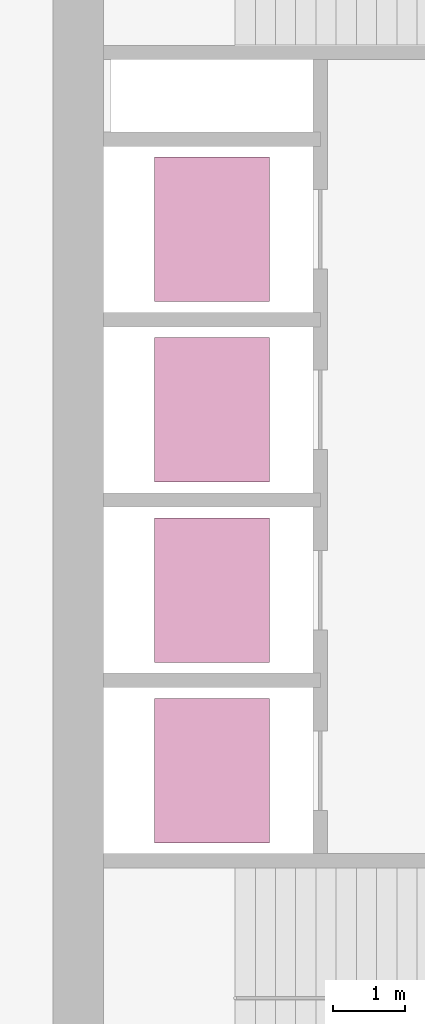
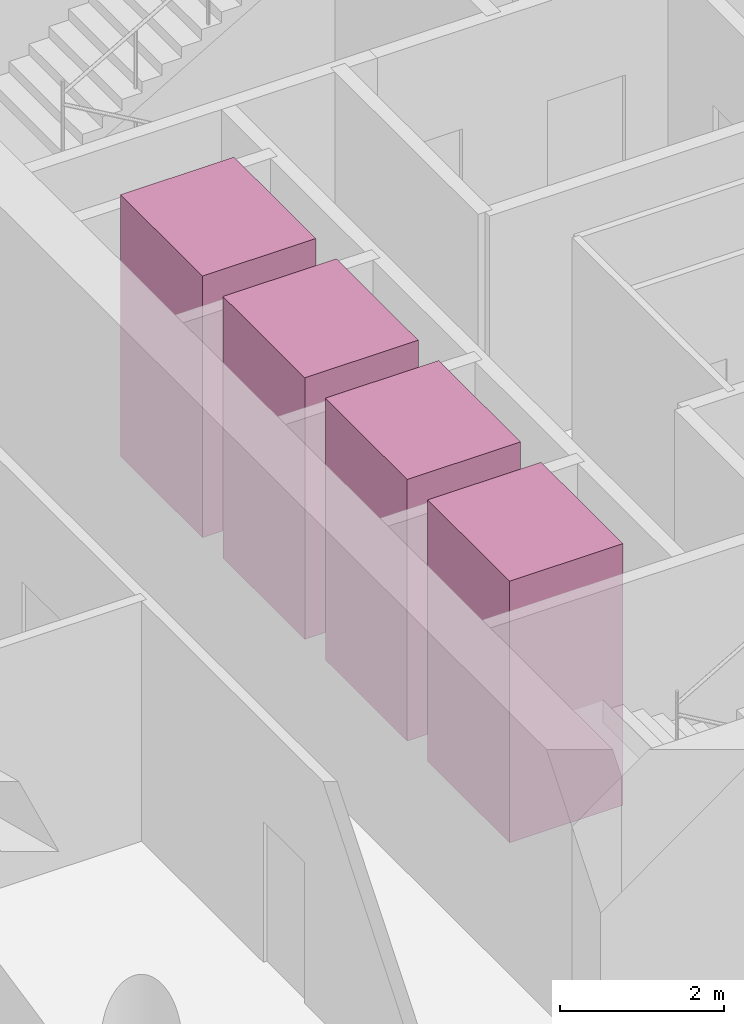
# One storey, part 9 of 9: 4 transport elements.
"""IFC4 building model written with IfcOpenShell, lengths in metres."""

import ifcopenshell
import ifcopenshell.guid

model = None  # the IFC model being written
_history = None  # IfcOwnerHistory: only IFC2X3 demands one
_inside = {}  # id of a spatial element -> (the spatial element, [elements in it])
_under = {}  # id of a project, library or spatial element -> (it, [spatial elements below it])
_declared = {}  # id of a project -> (the project, [libraries it declares])
_typed = {}  # id of a type object -> (the type object, [elements of that type])
_made_of = {}  # id of a material, layer set ... -> (it, [elements and type objects made of it])


def new_model(schema):
    """Start an empty IFC model of exactly this schema.

    Asked for "IFC4X3", IfcOpenShell would pick the latest addendum, in which some entities
    have other attributes; the version numbers below select the first issue.
    IFC2X3 requires an IfcOwnerHistory on every rooted entity: one is made here for all.
    """
    global model, _history
    if schema == "IFC4X3":
        model = ifcopenshell.file(schema_version=(4, 3, 0, 0))
    else:
        model = ifcopenshell.file(schema=schema)
    _inside.clear()
    _under.clear()
    _declared.clear()
    _typed.clear()
    _made_of.clear()
    _history = None
    if model.schema == "IFC2X3":
        org = make("IfcOrganization", Name="unknown")
        user = make(
            "IfcPersonAndOrganization",
            ThePerson=make("IfcPerson", FamilyName="unknown"),
            TheOrganization=org,
        )
        app = make(
            "IfcApplication",
            ApplicationDeveloper=org,
            Version="unknown",
            ApplicationFullName="unknown",
            ApplicationIdentifier="unknown",
        )
        _history = make(
            "IfcOwnerHistory",
            OwningUser=user,
            OwningApplication=app,
            ChangeAction="ADDED",
            CreationDate=0,
        )
    return model


def make(cls, **values):
    """One entity of the class cls with the attributes given. An attribute that is None is left unset."""
    return model.create_entity(
        cls, **{name: value for name, value in values.items() if value is not None}
    )


def rooted(cls, **values):
    """An entity with a GlobalId (a new one), such as an element, a storey or a relation."""
    return make(cls, GlobalId=ifcopenshell.guid.new(), OwnerHistory=_history, **values)


def si_unit(unit_type, name, prefix=None):
    """IfcSIUnit, for example si_unit("LENGTHUNIT", "METRE", prefix="MILLI")."""
    return make("IfcSIUnit", UnitType=unit_type, Prefix=prefix, Name=name)


def assignment(units):
    """IfcUnitAssignment: the units of a project."""
    return None if units is None else make("IfcUnitAssignment", Units=units)


def point(xyz):
    """IfcCartesianPoint."""
    return None if xyz is None else make("IfcCartesianPoint", Coordinates=xyz)


def direction(xyz):
    """IfcDirection."""
    return None if xyz is None else make("IfcDirection", DirectionRatios=xyz)


def frame(location, z_axis=None, x_axis=None):
    """IfcAxis2Placement3D, a coordinate frame: its origin and axes. An axis left out is left unset."""
    return make(
        "IfcAxis2Placement3D",
        Location=point(location),
        Axis=direction(z_axis),
        RefDirection=direction(x_axis),
    )


def frame_2d(location, x_axis=None):
    """IfcAxis2Placement2D, a coordinate frame in the plane: its origin and x axis."""
    return make(
        "IfcAxis2Placement2D", Location=point(location), RefDirection=direction(x_axis)
    )


def origin():
    """The frame at (0, 0, 0) with its axes left unset."""
    return frame((0.0, 0.0, 0.0))


def origin_2d():
    """The frame at (0, 0) in the plane with its x axis left unset."""
    return frame_2d((0.0, 0.0))


def place(relative_to, where):
    """IfcLocalPlacement: puts the frame where relative to a parent placement (None: the world)."""
    return make(
        "IfcLocalPlacement", PlacementRelTo=relative_to, RelativePlacement=where
    )


def context(
    kind, dimensions, precision=None, world=None, true_north=None, identifier=None
):
    """IfcGeometricRepresentationContext, for example the 3D "Model" context."""
    return make(
        "IfcGeometricRepresentationContext",
        ContextIdentifier=identifier,
        ContextType=kind,
        CoordinateSpaceDimension=dimensions,
        Precision=precision,
        WorldCoordinateSystem=world,
        TrueNorth=true_north,
    )


def subcontext(parent, identifier, kind, view, scale=None):
    """IfcGeometricRepresentationSubContext, for example "Body" below "Model"."""
    return make(
        "IfcGeometricRepresentationSubContext",
        ContextIdentifier=identifier,
        ContextType=kind,
        ParentContext=parent,
        TargetScale=scale,
        TargetView=view,
    )


def project(units=None, contexts=None):
    """IfcProject with its units and contexts."""
    return rooted(
        "IfcProject",
        Name="project",
        RepresentationContexts=contexts,
        UnitsInContext=assignment(units),
    )


def spatial(cls, under=None, at=None, **own):
    """A site, building, storey or space (cls), placed at a placement, below another one or the project."""
    s = rooted(cls, ObjectPlacement=at, **own)
    if under is not None:
        _under.setdefault(under.id(), (under, []))[1].append(s)
    return s


def profile(cls, at=None, kind="AREA", **sizes):
    """A parametric profile (cls). Its sizes go by their IFC names, for example OverallWidth=200.0."""
    return make(cls, ProfileType=kind, Position=at, **sizes)


def rectangle(**sizes):
    """IfcRectangleProfileDef."""
    return profile("IfcRectangleProfileDef", **sizes)


def extrude(swept, where, along, depth):
    """IfcExtrudedAreaSolid: the profile swept, set in the frame where, extruded along a direction by depth."""
    return make(
        "IfcExtrudedAreaSolid",
        SweptArea=swept,
        Position=where,
        ExtrudedDirection=direction(along),
        Depth=depth,
    )


def shape(context_of_items, identifier, shape_type, items):
    """IfcShapeRepresentation: the items that make up one representation, for example the "Body"."""
    return make(
        "IfcShapeRepresentation",
        ContextOfItems=context_of_items,
        RepresentationIdentifier=identifier,
        RepresentationType=shape_type,
        Items=items,
    )


def material(Name=None, Category=None):
    """IfcMaterial."""
    return make("IfcMaterial", Name=Name, Category=Category)


def made_of(thing, what):
    """Note that an element or type object is made of a material, layer set ...; save() writes the relation."""
    if what is not None:
        _made_of.setdefault(what.id(), (what, []))[1].append(thing)
    return thing


def type_object(cls, material=None, **own):
    """A type object (cls), such as IfcWallType, which elements share."""
    return made_of(rooted(cls, **own), material)


def element(
    cls,
    number,
    at=None,
    inside=None,
    cuts=None,
    type_object=None,
    material=None,
    context=None,
    identifier="Body",
    shape_type=None,
    held_by="IfcProductDefinitionShape",
    body=None,
    shapes=None,
    **own,
):
    """One element of the class cls, such as IfcWall. Its Tag is "e" and its number.

    at: its placement. inside: the storey or other place that contains it. cuts: it is an
    opening in that element (IfcRelVoidsElement). A single representation is given by context,
    identifier, shape_type and body (its items); several are given by shapes. held_by: the class
    of the entity that holds the representations. save() writes the other relations.
    """
    e = rooted(cls, Tag="e%d" % number, ObjectPlacement=at, **own)
    if body is not None:
        shapes = [shape(context, identifier, shape_type, body)]
    if shapes is not None:
        e.Representation = make(held_by, Representations=shapes)
    if inside is not None:
        _inside.setdefault(inside.id(), (inside, []))[1].append(e)
    if cuts is not None:
        rooted(
            "IfcRelVoidsElement", RelatingBuildingElement=cuts, RelatedOpeningElement=e
        )
    if type_object is not None:
        _typed.setdefault(type_object.id(), (type_object, []))[1].append(e)
    return made_of(e, material)


def aggregate(whole, parts):
    """IfcRelAggregates: a whole, such as a stair, and the parts it consists of."""
    return rooted("IfcRelAggregates", RelatingObject=whole, RelatedObjects=parts)


def save(model, path):
    """Write the relations noted so far, then the file.

    IfcRelAggregates (storeys below a building ...), IfcRelContainedInSpatialStructure (elements
    in a storey), IfcRelDefinesByType, IfcRelAssociatesMaterial and IfcRelDeclares: one each for
    every whole, place, type object, material and project.
    """
    for whole, parts in _under.values():
        aggregate(whole, parts)
    for where, things in _inside.values():
        rooted(
            "IfcRelContainedInSpatialStructure",
            RelatedElements=things,
            RelatingStructure=where,
        )
    for kind, things in _typed.values():
        rooted("IfcRelDefinesByType", RelatedObjects=things, RelatingType=kind)
    for what, things in _made_of.values():
        rooted("IfcRelAssociatesMaterial", RelatedObjects=things, RelatingMaterial=what)
    for by, libraries in _declared.values():
        rooted("IfcRelDeclares", RelatingContext=by, RelatedDefinitions=libraries)
    model.write(path)


model = new_model("IFC4")

# Units and contexts
model_context = context("Model", 3, precision=1e-05, world=origin(), true_north=direction((0.0, 1.0)))
body_context = subcontext(model_context, "Body", "Model", "MODEL_VIEW")
ifc_project = project(units=[si_unit("LENGTHUNIT", "METRE"), si_unit("AREAUNIT", "SQUARE_METRE"), si_unit("VOLUMEUNIT", "CUBIC_METRE"), si_unit("PLANEANGLEUNIT", "RADIAN"), si_unit("MASSUNIT", "GRAM", prefix="KILO")], contexts=[model_context])

# Site, building, storey
site_placement = place(None, origin())
site = spatial("IfcSite", under=ifc_project, at=site_placement, CompositionType="ELEMENT")
building_placement = place(site_placement, origin())
building = spatial("IfcBuilding", under=site, at=building_placement, Name="Qaws Garden Tower", CompositionType="ELEMENT")
storey_placement = place(building_placement, frame((0.0, 0.0, 166.800048828125)))
storey = spatial("IfcBuildingStorey", under=building, at=storey_placement, Name="L40", CompositionType="ELEMENT", Elevation=166.800048828125)

# Transport elements
ifc_material = material(Name="Stainless steel 316", Category="steel")
transport_element_type = type_object("IfcTransportElementType", Name="Passenger lift car 2000x1600 1800 kg", PredefinedType="ELEVATOR", material=ifc_material)
for number, where, z_axis, x_axis, name in (
    (1, (10.199951171875, 13.64990234375, 0.0), (0.0, 0.0, 1.0), (1.0, 0.0, 0.0), "MR1"),
    (2, (10.199951171875, 16.14990234375, 0.0), (0.0, 0.0, 1.0), (1.0, 0.0, 0.0), "MR2"),
    (3, (10.199951171875, 18.64990234375, 0.0), (0.0, 0.0, 1.0), (1.0, 0.0, 0.0), "MR3"),
    (4, (10.199951171875, 21.14990234375, 0.0), (0.0, 0.0, 1.0), (1.0, 0.0, 0.0), "MR4"),
):
    element("IfcTransportElement", number, at=place(storey_placement, frame(where, z_axis=z_axis, x_axis=x_axis)), inside=storey, type_object=transport_element_type, Name=name, PredefinedType="ELEVATOR", context=body_context, shape_type="SweptSolid", body=[
        extrude(rectangle(XDim=1.60009765625, YDim=2.0, at=origin_2d()), origin(), (0.0, 0.0, 1.0), 3.89990234375),
    ])

save(model, "model.ifc")
